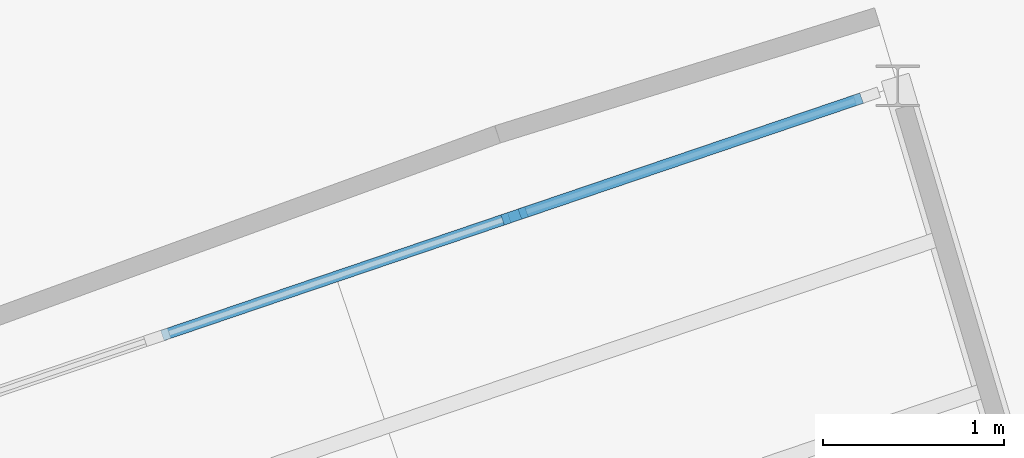
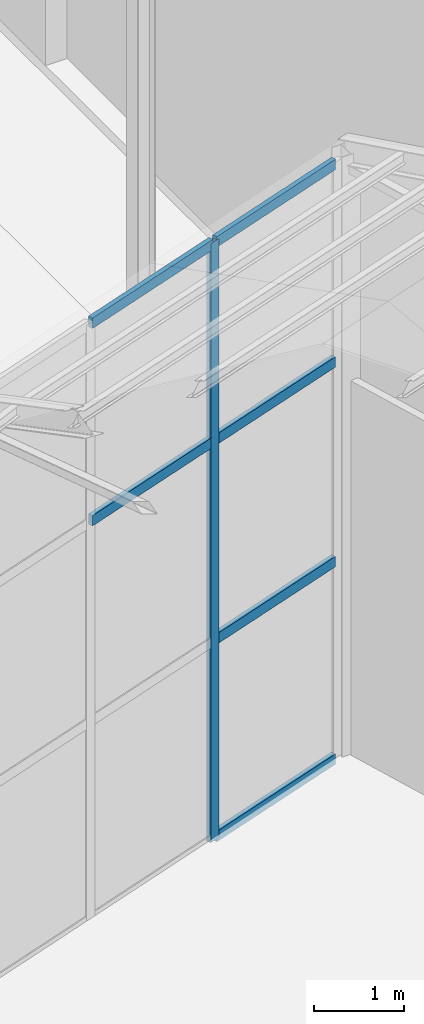
# One storey, part 40 of 155: 7 members, 1 element without a shape of its own.
"""IFC4 building model written with IfcOpenShell, lengths in metres."""

from ifc_helpers import new_model, si_unit, direction, frame, origin, origin_2d, place, context, subcontext, project, spatial, rectangle, extrude, material, layer, layer_set, material_profile, profile_set, type_object, element, aggregate, save


model = new_model("IFC4")

# Units and contexts
model_context = context("Model", 3, precision=1e-05, world=origin(), true_north=direction((0.0, 1.0)))
body_context = subcontext(model_context, "Body", "Model", "MODEL_VIEW")
ifc_project = project(units=[si_unit("LENGTHUNIT", "METRE"), si_unit("AREAUNIT", "SQUARE_METRE"), si_unit("VOLUMEUNIT", "CUBIC_METRE"), si_unit("PLANEANGLEUNIT", "RADIAN"), si_unit("MASSUNIT", "GRAM", prefix="KILO")], contexts=[model_context])

# Site, building, storey
site_placement = place(None, origin())
site = spatial("IfcSite", under=ifc_project, at=site_placement, CompositionType="ELEMENT")
building_placement = place(site_placement, origin())
building = spatial("IfcBuilding", under=site, at=building_placement, Name="Lunette Opera House", CompositionType="ELEMENT")
storey_placement = place(building_placement, origin())
storey = spatial("IfcBuildingStorey", under=building, at=storey_placement, Name="L00", CompositionType="ELEMENT", Elevation=0.0)

# Curtain wall, members
ifc_material_1 = material(Name="Aluminium", Category="aluminium")
ifc_layer = layer(ifc_material_1, 0.139892578125)
ifc_layer_set = layer_set([ifc_layer], Name="Aluminium")
curtain_wall_type = type_object("IfcCurtainWallType", Name="PASSAGE CURTAIN WALL", PredefinedType="NOTDEFINED", material=ifc_layer_set)
curtain_wall_placement = place(storey_placement, origin())
curtain_wall = element("IfcCurtainWall", 1, at=curtain_wall_placement, inside=storey, type_object=curtain_wall_type, Name="Passage Curtain Wall WO3 L00", PredefinedType="NOTDEFINED")
ifc_material_2 = material(Name="Aluminium", Category="aluminium")
ifc_material_profile_1 = material_profile(ifc_material_2, rectangle(XDim=0.06005859375, YDim=0.139892578125, at=origin_2d()), Name="MULLION 60 X 140")
ifc_profile_set_1 = profile_set([ifc_material_profile_1], Name="Aluminium")
member_type_1 = type_object("IfcMemberType", Name="MULLION 60 X 140", PredefinedType="MULLION", material=ifc_profile_set_1)
member_1_placement = place(storey_placement, frame((70.13671875, 79.437744140625, 0.0), z_axis=(0.0, 0.0, 1.0), x_axis=(-0.32149061205, 0.946912765974, 0.0)))
member_1 = element("IfcMember", 2, at=member_1_placement, type_object=member_type_1, Name="PP-X2018 mullion 3", PredefinedType="MULLION", context=body_context, shape_type="SweptSolid", body=[
    extrude(rectangle(XDim=0.06005859375, YDim=0.139892578125, at=origin_2d()), origin(), (0.0, 0.0, 1.0), 8.10009765625),
])
ifc_material_3 = material(Name="Aluminium", Category="aluminium")
ifc_material_profile_2 = material_profile(ifc_material_3, rectangle(XDim=0.06005859375, YDim=0.139892578125, at=origin_2d()), Name="TRANSOM 60 X 140")
ifc_profile_set_2 = profile_set([ifc_material_profile_2], Name="Aluminium")
member_type_2 = type_object("IfcMemberType", Name="TRANSOM 60 X 140", PredefinedType="USERDEFINED", material=ifc_profile_set_2)
member_2_placement = place(storey_placement, frame((68.187744140625, 78.77587890625, 5.39990234375), z_axis=(0.946898877622, 0.321531515653, 0.0), x_axis=(-0.321531515653, 0.946898877622, 0.0)))
member_2 = element("IfcMember", 3, at=member_2_placement, type_object=member_type_2, Name="PP-X2018 transom 2.3", ObjectType="TRANSOM", PredefinedType="USERDEFINED", context=body_context, shape_type="SweptSolid", body=[
    extrude(rectangle(XDim=0.06005859375, YDim=0.139892578125, at=origin_2d()), origin(), (0.0, 0.0, 1.0), 2.028076171875),
])
member_3_placement = place(storey_placement, frame((68.187744140625, 78.77587890625, 8.070068359375), z_axis=(0.946898877622, 0.321531515653, 0.0), x_axis=(-0.321531515653, 0.946898877622, 0.0)))
member_3 = element("IfcMember", 4, at=member_3_placement, type_object=member_type_2, Name="PP-X2018 transom 2.4", ObjectType="TRANSOM", PredefinedType="USERDEFINED", context=body_context, shape_type="SweptSolid", body=[
    extrude(rectangle(XDim=0.06005859375, YDim=0.139892578125, at=origin_2d()), origin(), (0.0, 0.0, 1.0), 2.028076171875),
])
member_4_placement = place(storey_placement, frame((70.1650390625, 79.447265625, 0.030029296875), z_axis=(0.946921594222, 0.32146460831, 0.0), x_axis=(-0.32146460831, 0.946921594222, 0.0)))
member_4 = element("IfcMember", 5, at=member_4_placement, type_object=member_type_2, Name="PP-X2018 transom 3.1", ObjectType="TRANSOM", PredefinedType="USERDEFINED", context=body_context, shape_type="SweptSolid", body=[
    extrude(rectangle(XDim=0.06005859375, YDim=0.139892578125, at=origin_2d()), origin(), (0.0, 0.0, 1.0), 1.998046875),
])
member_5_placement = place(storey_placement, frame((70.1650390625, 79.447265625, 2.699951171875), z_axis=(0.946921594222, 0.32146460831, 0.0), x_axis=(-0.32146460831, 0.946921594222, 0.0)))
member_5 = element("IfcMember", 6, at=member_5_placement, type_object=member_type_2, Name="PP-X2018 transom 3.2", ObjectType="TRANSOM", PredefinedType="USERDEFINED", context=body_context, shape_type="SweptSolid", body=[
    extrude(rectangle(XDim=0.06005859375, YDim=0.139892578125, at=origin_2d()), origin(), (0.0, 0.0, 1.0), 1.998046875),
])
member_6_placement = place(storey_placement, frame((70.1650390625, 79.447265625, 5.39990234375), z_axis=(0.946921594222, 0.32146460831, 0.0), x_axis=(-0.32146460831, 0.946921594222, 0.0)))
member_6 = element("IfcMember", 7, at=member_6_placement, type_object=member_type_2, Name="PP-X2018 transom 3.3", ObjectType="TRANSOM", PredefinedType="USERDEFINED", context=body_context, shape_type="SweptSolid", body=[
    extrude(rectangle(XDim=0.06005859375, YDim=0.139892578125, at=origin_2d()), origin(), (0.0, 0.0, 1.0), 1.998046875),
])
member_7_placement = place(storey_placement, frame((70.1650390625, 79.447265625, 8.070068359375), z_axis=(0.946921594222, 0.32146460831, 0.0), x_axis=(-0.32146460831, 0.946921594222, 0.0)))
member_7 = element("IfcMember", 8, at=member_7_placement, type_object=member_type_2, Name="PP-X2018 transom 3.4", ObjectType="TRANSOM", PredefinedType="USERDEFINED", context=body_context, shape_type="SweptSolid", body=[
    extrude(rectangle(XDim=0.06005859375, YDim=0.139892578125, at=origin_2d()), origin(), (0.0, 0.0, 1.0), 1.998046875),
])
aggregate(curtain_wall, [member_1, member_2, member_3, member_4, member_5, member_6, member_7])

save(model, "model.ifc")
